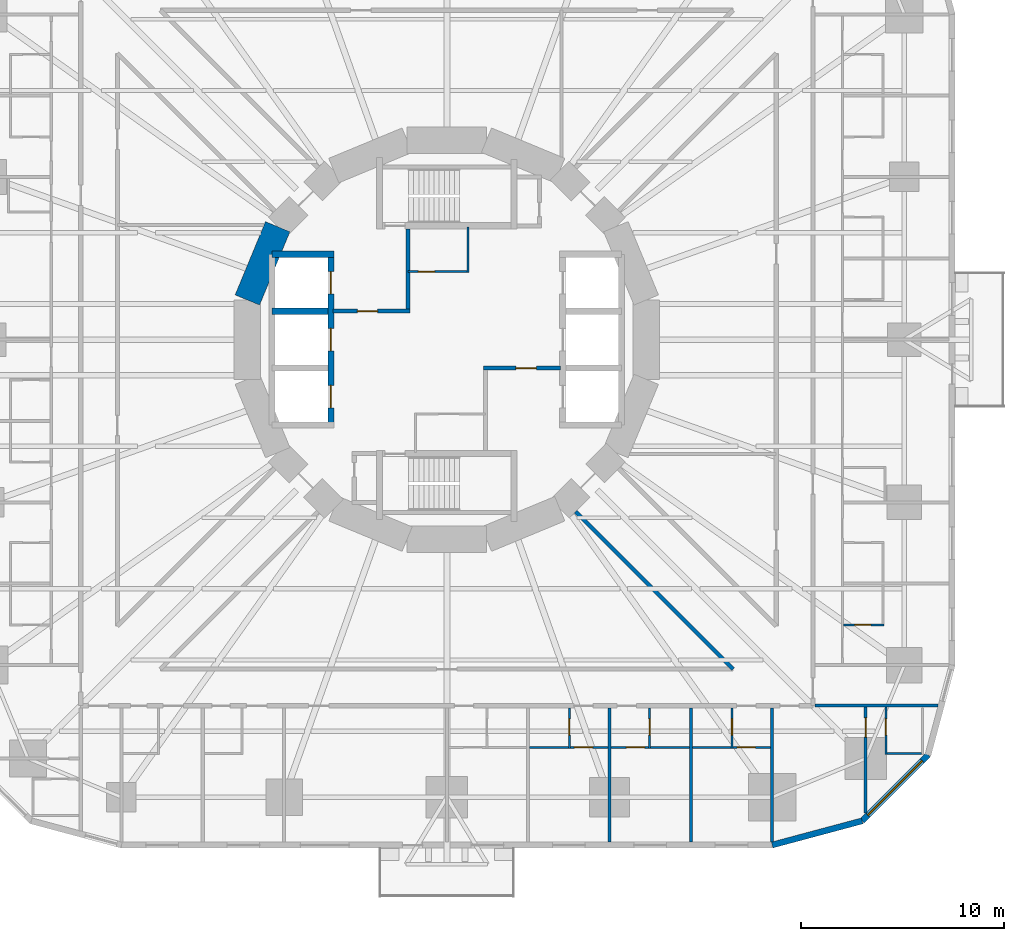
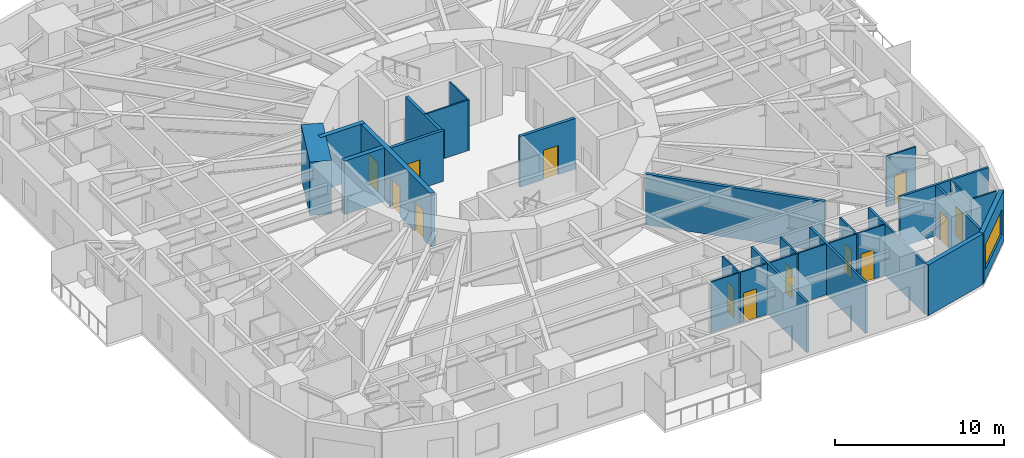
# One storey, part 7 of 14: 29 walls, 15 doors, 1 window, 16 openings.
"""IFC4 building model written with IfcOpenShell, lengths in metres."""

import ifcopenshell
import ifcopenshell.guid

model = None  # the IFC model being written
_history = None  # IfcOwnerHistory: only IFC2X3 demands one
_inside = {}  # id of a spatial element -> (the spatial element, [elements in it])
_under = {}  # id of a project, library or spatial element -> (it, [spatial elements below it])
_declared = {}  # id of a project -> (the project, [libraries it declares])
_typed = {}  # id of a type object -> (the type object, [elements of that type])
_made_of = {}  # id of a material, layer set ... -> (it, [elements and type objects made of it])


def new_model(schema):
    """Start an empty IFC model of exactly this schema.

    Asked for "IFC4X3", IfcOpenShell would pick the latest addendum, in which some entities
    have other attributes; the version numbers below select the first issue.
    IFC2X3 requires an IfcOwnerHistory on every rooted entity: one is made here for all.
    """
    global model, _history
    if schema == "IFC4X3":
        model = ifcopenshell.file(schema_version=(4, 3, 0, 0))
    else:
        model = ifcopenshell.file(schema=schema)
    _inside.clear()
    _under.clear()
    _declared.clear()
    _typed.clear()
    _made_of.clear()
    _history = None
    if model.schema == "IFC2X3":
        org = make("IfcOrganization", Name="unknown")
        user = make(
            "IfcPersonAndOrganization",
            ThePerson=make("IfcPerson", FamilyName="unknown"),
            TheOrganization=org,
        )
        app = make(
            "IfcApplication",
            ApplicationDeveloper=org,
            Version="unknown",
            ApplicationFullName="unknown",
            ApplicationIdentifier="unknown",
        )
        _history = make(
            "IfcOwnerHistory",
            OwningUser=user,
            OwningApplication=app,
            ChangeAction="ADDED",
            CreationDate=0,
        )
    return model


def make(cls, **values):
    """One entity of the class cls with the attributes given. An attribute that is None is left unset."""
    return model.create_entity(
        cls, **{name: value for name, value in values.items() if value is not None}
    )


def rooted(cls, **values):
    """An entity with a GlobalId (a new one), such as an element, a storey or a relation."""
    return make(cls, GlobalId=ifcopenshell.guid.new(), OwnerHistory=_history, **values)


def si_unit(unit_type, name, prefix=None):
    """IfcSIUnit, for example si_unit("LENGTHUNIT", "METRE", prefix="MILLI")."""
    return make("IfcSIUnit", UnitType=unit_type, Prefix=prefix, Name=name)


def assignment(units):
    """IfcUnitAssignment: the units of a project."""
    return None if units is None else make("IfcUnitAssignment", Units=units)


def point(xyz):
    """IfcCartesianPoint."""
    return None if xyz is None else make("IfcCartesianPoint", Coordinates=xyz)


def direction(xyz):
    """IfcDirection."""
    return None if xyz is None else make("IfcDirection", DirectionRatios=xyz)


def frame(location, z_axis=None, x_axis=None):
    """IfcAxis2Placement3D, a coordinate frame: its origin and axes. An axis left out is left unset."""
    return make(
        "IfcAxis2Placement3D",
        Location=point(location),
        Axis=direction(z_axis),
        RefDirection=direction(x_axis),
    )


def frame_2d(location, x_axis=None):
    """IfcAxis2Placement2D, a coordinate frame in the plane: its origin and x axis."""
    return make(
        "IfcAxis2Placement2D", Location=point(location), RefDirection=direction(x_axis)
    )


def origin():
    """The frame at (0, 0, 0) with its axes left unset."""
    return frame((0.0, 0.0, 0.0))


def place(relative_to, where):
    """IfcLocalPlacement: puts the frame where relative to a parent placement (None: the world)."""
    return make(
        "IfcLocalPlacement", PlacementRelTo=relative_to, RelativePlacement=where
    )


def context(
    kind, dimensions, precision=None, world=None, true_north=None, identifier=None
):
    """IfcGeometricRepresentationContext, for example the 3D "Model" context."""
    return make(
        "IfcGeometricRepresentationContext",
        ContextIdentifier=identifier,
        ContextType=kind,
        CoordinateSpaceDimension=dimensions,
        Precision=precision,
        WorldCoordinateSystem=world,
        TrueNorth=true_north,
    )


def subcontext(parent, identifier, kind, view, scale=None):
    """IfcGeometricRepresentationSubContext, for example "Body" below "Model"."""
    return make(
        "IfcGeometricRepresentationSubContext",
        ContextIdentifier=identifier,
        ContextType=kind,
        ParentContext=parent,
        TargetScale=scale,
        TargetView=view,
    )


def project(units=None, contexts=None):
    """IfcProject with its units and contexts."""
    return rooted(
        "IfcProject",
        Name="project",
        RepresentationContexts=contexts,
        UnitsInContext=assignment(units),
    )


def spatial(cls, under=None, at=None, **own):
    """A site, building, storey or space (cls), placed at a placement, below another one or the project."""
    s = rooted(cls, ObjectPlacement=at, **own)
    if under is not None:
        _under.setdefault(under.id(), (under, []))[1].append(s)
    return s


def profile(cls, at=None, kind="AREA", **sizes):
    """A parametric profile (cls). Its sizes go by their IFC names, for example OverallWidth=200.0."""
    return make(cls, ProfileType=kind, Position=at, **sizes)


def rectangle(**sizes):
    """IfcRectangleProfileDef."""
    return profile("IfcRectangleProfileDef", **sizes)


def extrude(swept, where, along, depth):
    """IfcExtrudedAreaSolid: the profile swept, set in the frame where, extruded along a direction by depth."""
    return make(
        "IfcExtrudedAreaSolid",
        SweptArea=swept,
        Position=where,
        ExtrudedDirection=direction(along),
        Depth=depth,
    )


def shape(context_of_items, identifier, shape_type, items):
    """IfcShapeRepresentation: the items that make up one representation, for example the "Body"."""
    return make(
        "IfcShapeRepresentation",
        ContextOfItems=context_of_items,
        RepresentationIdentifier=identifier,
        RepresentationType=shape_type,
        Items=items,
    )


def material(Name=None, Category=None):
    """IfcMaterial."""
    return make("IfcMaterial", Name=Name, Category=Category)


def layer(
    of_material, thickness, ventilated=None, Name=None, Category=None, Priority=None
):
    """IfcMaterialLayer: one layer of a wall or slab, of a material (None: an air gap)."""
    return make(
        "IfcMaterialLayer",
        Material=of_material,
        LayerThickness=thickness,
        IsVentilated=ventilated,
        Name=Name,
        Category=Category,
        Priority=Priority,
    )


def layer_set(layers, Name=None):
    """IfcMaterialLayerSet."""
    return make("IfcMaterialLayerSet", MaterialLayers=layers, LayerSetName=Name)


def made_of(thing, what):
    """Note that an element or type object is made of a material, layer set ...; save() writes the relation."""
    if what is not None:
        _made_of.setdefault(what.id(), (what, []))[1].append(thing)
    return thing


def type_object(cls, material=None, **own):
    """A type object (cls), such as IfcWallType, which elements share."""
    return made_of(rooted(cls, **own), material)


def element(
    cls,
    number,
    at=None,
    inside=None,
    cuts=None,
    type_object=None,
    material=None,
    context=None,
    identifier="Body",
    shape_type=None,
    held_by="IfcProductDefinitionShape",
    body=None,
    shapes=None,
    **own,
):
    """One element of the class cls, such as IfcWall. Its Tag is "e" and its number.

    at: its placement. inside: the storey or other place that contains it. cuts: it is an
    opening in that element (IfcRelVoidsElement). A single representation is given by context,
    identifier, shape_type and body (its items); several are given by shapes. held_by: the class
    of the entity that holds the representations. save() writes the other relations.
    """
    e = rooted(cls, Tag="e%d" % number, ObjectPlacement=at, **own)
    if body is not None:
        shapes = [shape(context, identifier, shape_type, body)]
    if shapes is not None:
        e.Representation = make(held_by, Representations=shapes)
    if inside is not None:
        _inside.setdefault(inside.id(), (inside, []))[1].append(e)
    if cuts is not None:
        rooted(
            "IfcRelVoidsElement", RelatingBuildingElement=cuts, RelatedOpeningElement=e
        )
    if type_object is not None:
        _typed.setdefault(type_object.id(), (type_object, []))[1].append(e)
    return made_of(e, material)


def fill(opening, filler):
    """IfcRelFillsElement: the door or window that sits in an opening."""
    return rooted(
        "IfcRelFillsElement",
        RelatingOpeningElement=opening,
        RelatedBuildingElement=filler,
    )


def aggregate(whole, parts):
    """IfcRelAggregates: a whole, such as a stair, and the parts it consists of."""
    return rooted("IfcRelAggregates", RelatingObject=whole, RelatedObjects=parts)


def save(model, path):
    """Write the relations noted so far, then the file.

    IfcRelAggregates (storeys below a building ...), IfcRelContainedInSpatialStructure (elements
    in a storey), IfcRelDefinesByType, IfcRelAssociatesMaterial and IfcRelDeclares: one each for
    every whole, place, type object, material and project.
    """
    for whole, parts in _under.values():
        aggregate(whole, parts)
    for where, things in _inside.values():
        rooted(
            "IfcRelContainedInSpatialStructure",
            RelatedElements=things,
            RelatingStructure=where,
        )
    for kind, things in _typed.values():
        rooted("IfcRelDefinesByType", RelatedObjects=things, RelatingType=kind)
    for what, things in _made_of.values():
        rooted("IfcRelAssociatesMaterial", RelatedObjects=things, RelatingMaterial=what)
    for by, libraries in _declared.values():
        rooted("IfcRelDeclares", RelatingContext=by, RelatedDefinitions=libraries)
    model.write(path)


model = new_model("IFC4")

# Units and contexts
model_context = context("Model", 3, precision=1e-05, world=origin(), true_north=direction((0.0, 1.0)))
body_context = subcontext(model_context, "Body", "Model", "MODEL_VIEW")
ifc_project = project(units=[si_unit("LENGTHUNIT", "METRE"), si_unit("AREAUNIT", "SQUARE_METRE"), si_unit("VOLUMEUNIT", "CUBIC_METRE"), si_unit("PLANEANGLEUNIT", "RADIAN"), si_unit("MASSUNIT", "GRAM", prefix="KILO")], contexts=[model_context])

# Site, building, storey
site_placement = place(None, origin())
site = spatial("IfcSite", under=ifc_project, at=site_placement, CompositionType="ELEMENT")
building_placement = place(site_placement, origin())
building = spatial("IfcBuilding", under=site, at=building_placement, Name="Nakasero Lantern House", CompositionType="ELEMENT")
storey_placement = place(building_placement, frame((0.0, 0.0, 39.10009765625)))
storey = spatial("IfcBuildingStorey", under=building, at=storey_placement, Name="L09", CompositionType="ELEMENT", Elevation=39.10009765625)

# Wall, openings, doors
ifc_material_1 = material(Name="Concrete C50/60", Category="concrete")
ifc_layer_1 = layer(ifc_material_1, 0.300048828125)
ifc_layer_set_1 = layer_set([ifc_layer_1], Name="Core inner wall 300")
wall_type_1 = type_object("IfcWallType", Name="Core inner wall 300", PredefinedType="SHEAR", material=ifc_layer_set_1)
wall_1_placement = place(storey_placement, frame((-5.699951171875, -4.199951171875, 0.0), z_axis=(0.0, 0.0, 1.0), x_axis=(0.0, 1.0, 0.0)))
wall_1 = element("IfcWall", 1, at=wall_1_placement, inside=storey, type_object=wall_type_1, Name="Core inner wall L09 LW", PredefinedType="SHEAR", context=body_context, shape_type="SweptSolid", body=[
    extrude(rectangle(XDim=8.39990234375, YDim=0.300048828125, at=frame_2d((4.199951171875, 0.0))), origin(), (0.0, 0.0, 1.0), 3.849853515625),
])
opening_1_placement = place(wall_1_placement, frame((0.85009765625, 0.0, 0.0)))
opening_1 = element("IfcOpeningElement", 2, at=opening_1_placement, cuts=wall_1, Name="Opening LD", PredefinedType="OPENING", context=body_context, shape_type="SweptSolid", body=[
    extrude(rectangle(XDim=1.10009765625, YDim=2.10009765625, at=frame_2d((0.550048828125, 1.050048828125))), frame((0.0, 0.169921875, 0.0), z_axis=(0.0, -1.0, 0.0), x_axis=(1.0, 0.0, 0.0)), (0.0, 0.0, 1.0), 0.340087890625),
])
opening_2_placement = place(wall_1_placement, frame((3.64990234375, 0.0, 0.0)))
opening_2 = element("IfcOpeningElement", 3, at=opening_2_placement, cuts=wall_1, Name="Opening LD", PredefinedType="OPENING", context=body_context, shape_type="SweptSolid", body=[
    extrude(rectangle(XDim=1.10009765625, YDim=2.10009765625, at=frame_2d((0.550048828125, 1.050048828125))), frame((0.0, 0.169921875, 0.0), z_axis=(0.0, -1.0, 0.0), x_axis=(1.0, 0.0, 0.0)), (0.0, 0.0, 1.0), 0.340087890625),
])
opening_3_placement = place(wall_1_placement, frame((6.449951171875, 0.0, 0.0)))
opening_3 = element("IfcOpeningElement", 4, at=opening_3_placement, cuts=wall_1, Name="Opening LD", PredefinedType="OPENING", context=body_context, shape_type="SweptSolid", body=[
    extrude(rectangle(XDim=1.10009765625, YDim=2.10009765625, at=frame_2d((0.550048828125, 1.050048828125))), frame((0.0, 0.169921875, 0.0), z_axis=(0.0, -1.0, 0.0), x_axis=(1.0, 0.0, 0.0)), (0.0, 0.0, 1.0), 0.340087890625),
])
ifc_material_2 = material(Name="Steel S355", Category="steel")
door_type_1 = type_object("IfcDoorType", Name="Lift landing door E120 1100", OperationType="SLIDING_TO_LEFT", PredefinedType="DOOR", material=ifc_material_2)
door_1_placement = place(opening_1_placement, origin())
door_1 = element("IfcDoor", 5, at=door_1_placement, inside=storey, type_object=door_type_1, Name="Lift landing door LW1", OperationType="SLIDING_TO_LEFT", OverallHeight=2.10009765625, OverallWidth=1.10009765625, PredefinedType="DOOR", context=body_context, shape_type="SweptSolid", body=[
    extrude(rectangle(XDim=1.10009765625, YDim=2.10009765625, at=frame_2d((0.550048828125, 1.050048828125))), frame((0.0, 0.02490234375, 0.0), z_axis=(0.0, -1.0, 0.0), x_axis=(1.0, 0.0, 0.0)), (0.0, 0.0, 1.0), 0.050048828125),
])
fill(opening_1, door_1)
door_2_placement = place(opening_2_placement, origin())
door_2 = element("IfcDoor", 6, at=door_2_placement, inside=storey, type_object=door_type_1, Name="Lift landing door LW2", OperationType="SLIDING_TO_LEFT", OverallHeight=2.10009765625, OverallWidth=1.10009765625, PredefinedType="DOOR", context=body_context, shape_type="SweptSolid", body=[
    extrude(rectangle(XDim=1.10009765625, YDim=2.10009765625, at=frame_2d((0.550048828125, 1.050048828125))), frame((0.0, 0.02490234375, 0.0), z_axis=(0.0, -1.0, 0.0), x_axis=(1.0, 0.0, 0.0)), (0.0, 0.0, 1.0), 0.050048828125),
])
fill(opening_2, door_2)
door_3_placement = place(opening_3_placement, origin())
door_3 = element("IfcDoor", 7, at=door_3_placement, inside=storey, type_object=door_type_1, Name="Lift landing door LW3", OperationType="SLIDING_TO_LEFT", OverallHeight=2.10009765625, OverallWidth=1.10009765625, PredefinedType="DOOR", context=body_context, shape_type="SweptSolid", body=[
    extrude(rectangle(XDim=1.10009765625, YDim=2.10009765625, at=frame_2d((0.550048828125, 1.050048828125))), frame((0.0, 0.02490234375, 0.0), z_axis=(0.0, -1.0, 0.0), x_axis=(1.0, 0.0, 0.0)), (0.0, 0.0, 1.0), 0.050048828125),
])
fill(opening_3, door_3)

# Walls
wall_2_placement = place(storey_placement, frame((-8.60009765625, 4.199951171875, 0.0), z_axis=(0.0, 0.0, 1.0), x_axis=(1.0, 0.0, 0.0)))
element("IfcWall", 8, at=wall_2_placement, inside=storey, type_object=wall_type_1, Name="Core inner wall L09 LWN", PredefinedType="SHEAR", context=body_context, shape_type="SweptSolid", body=[
    extrude(rectangle(XDim=3.050048828125, YDim=0.300048828125, at=frame_2d((1.52490234375, 0.0))), origin(), (0.0, 0.0, 1.0), 3.849853515625),
])
wall_3_placement = place(storey_placement, frame((-8.60009765625, 1.39990234375, 0.0), z_axis=(0.0, 0.0, 1.0), x_axis=(1.0, 0.0, 0.0)))
element("IfcWall", 9, at=wall_3_placement, inside=storey, type_object=wall_type_1, Name="Core inner wall L09 LW2", PredefinedType="SHEAR", context=body_context, shape_type="SweptSolid", body=[
    extrude(rectangle(XDim=2.75, YDim=0.300048828125, at=frame_2d((1.375, 0.0))), origin(), (0.0, 0.0, 1.0), 3.849853515625),
])

# Wall, opening, door
ifc_material_3 = material(Name="Blockwork", Category="masonry")
ifc_layer_2 = layer(ifc_material_3, 0.10009765625)
ifc_layer_set_2 = layer_set([ifc_layer_2], Name="Core room wall 100")
wall_type_2 = type_object("IfcWallType", Name="Core room wall 100", PredefinedType="PARTITIONING", material=ifc_layer_set_2)
wall_4_placement = place(storey_placement, frame((-1.89990234375, 3.35009765625, 0.0), z_axis=(0.0, 0.0, 1.0), x_axis=(1.0, 0.0, 0.0)))
wall_4 = element("IfcWall", 10, at=wall_4_placement, inside=storey, type_object=wall_type_2, Name="Core room wall L09 CR-NES", PredefinedType="PARTITIONING", context=body_context, shape_type="SweptSolid", body=[
    extrude(rectangle(XDim=3.0, YDim=0.10009765625, at=frame_2d((1.5, 0.0))), origin(), (0.0, 0.0, 1.0), 3.64990234375),
])
opening_4_placement = place(wall_4_placement, frame((0.5, 0.0, 0.0)))
opening_4 = element("IfcOpeningElement", 11, at=opening_4_placement, cuts=wall_4, Name="Opening D15", PredefinedType="OPENING", context=body_context, shape_type="SweptSolid", body=[
    extrude(rectangle(XDim=0.800048828125, YDim=2.10009765625, at=frame_2d((0.39990234375, 1.050048828125))), frame((0.0, 0.070068359375, 0.0), z_axis=(0.0, -1.0, 0.0), x_axis=(1.0, 0.0, 0.0)), (0.0, 0.0, 1.0), 0.14013671875),
])
ifc_material_4 = material(Name="Timber C24", Category="wood")
door_type_2 = type_object("IfcDoorType", Name="Cleaner's store door FD30S 800", OperationType="SINGLE_SWING_LEFT", PredefinedType="DOOR", material=ifc_material_4)
door_4_placement = place(opening_4_placement, origin())
door_4 = element("IfcDoor", 12, at=door_4_placement, inside=storey, type_object=door_type_2, Name="Door L09 D-CR-NE", OperationType="SINGLE_SWING_LEFT", OverallHeight=2.10009765625, OverallWidth=0.800048828125, PredefinedType="DOOR", context=body_context, shape_type="SweptSolid", body=[
    extrude(rectangle(XDim=0.800048828125, YDim=2.10009765625, at=frame_2d((0.39990234375, 1.050048828125))), frame((0.0, 0.02490234375, 0.0), z_axis=(0.0, -1.0, 0.0), x_axis=(1.0, 0.0, 0.0)), (0.0, 0.0, 1.0), 0.050048828125),
])
fill(opening_4, door_4)

# Walls
wall_5_placement = place(storey_placement, frame((1.050048828125, 3.300048828125, 0.0), z_axis=(0.0, 0.0, 1.0), x_axis=(0.0, 1.0, 0.0)))
element("IfcWall", 13, at=wall_5_placement, inside=storey, type_object=wall_type_2, Name="Core room wall L09 CR-NEE", PredefinedType="PARTITIONING", context=body_context, shape_type="SweptSolid", body=[
    extrude(rectangle(XDim=2.25, YDim=0.10009765625, at=frame_2d((1.125, 0.0))), origin(), (0.0, 0.0, 1.0), 3.64990234375),
])
ifc_material_5 = material(Name="Concrete C50/60", Category="concrete")
ifc_layer_3 = layer(ifc_material_5, 1.300048828125)
ifc_layer_set_3 = layer_set([ifc_layer_3], Name="Core wall 1300")
wall_type_3 = type_object("IfcWallType", Name="Core wall 1300", PredefinedType="SHEAR", material=ifc_layer_set_3)
wall_6_placement = place(storey_placement, frame((-8.314697265625, 5.5556640625, 0.0), z_axis=(0.0, 0.0, 1.0), x_axis=(-0.382690736062, -0.923876507187, 0.0)))
element("IfcWall", 14, at=wall_6_placement, inside=storey, type_object=wall_type_3, Name="Core wall L09 facet 7", PredefinedType="SHEAR", context=body_context, shape_type="SweptSolid", body=[
    extrude(rectangle(XDim=3.90185546875, YDim=1.300048828125, at=frame_2d((1.950927734375, 0.0))), origin(), (0.0, 0.0, 1.0), 3.849853515625),
])
ifc_material_6 = material(Name="Blockwork", Category="masonry")
ifc_layer_4 = layer(ifc_material_6, 0.199951171875)
ifc_layer_set_4 = layer_set([ifc_layer_4], Name="Corridor wall 200")
wall_type_4 = type_object("IfcWallType", Name="Corridor wall 200", PredefinedType="PARTITIONING", material=ifc_layer_set_4)
wall_7_placement = place(storey_placement, frame((6.334228515625, -8.45556640625, 0.0), z_axis=(0.0, 0.0, 1.0), x_axis=(0.707106781187, -0.707106781187, 0.0)))
element("IfcWall", 15, at=wall_7_placement, inside=storey, type_object=wall_type_4, Name="Corridor wall L09 PS14b", PredefinedType="PARTITIONING", context=body_context, shape_type="SweptSolid", body=[
    extrude(rectangle(XDim=10.9521484375, YDim=0.199951171875, at=frame_2d((5.47607421875, 0.0))), origin(), (0.0, 0.0, 1.0), 3.64990234375),
])

# Wall, opening, door
ifc_material_7 = material(Name="Blockwork", Category="masonry")
ifc_layer_5 = layer(ifc_material_7, 0.10009765625)
ifc_layer_set_5 = layer_set([ifc_layer_5], Name="En-suite wall 100")
wall_type_5 = type_object("IfcWallType", Name="En-suite wall 100", PredefinedType="PARTITIONING", material=ifc_layer_set_5)
wall_8_placement = place(storey_placement, frame((19.5, -14.02490234375, 0.0), z_axis=(0.0, 0.0, 1.0), x_axis=(1.0, 0.0, 0.0)))
wall_8 = element("IfcWall", 16, at=wall_8_placement, inside=storey, type_object=wall_type_5, Name="En-suite wall L09 ES0-01", PredefinedType="PARTITIONING", context=body_context, shape_type="SweptSolid", body=[
    extrude(rectangle(XDim=2.0, YDim=0.10009765625, at=frame_2d((1.0, 0.0))), origin(), (0.0, 0.0, 1.0), 3.64990234375),
])
opening_5_placement = place(wall_8_placement, frame((0.550048828125, 0.0, 0.0)))
opening_5 = element("IfcOpeningElement", 17, at=opening_5_placement, cuts=wall_8, Name="Opening D02", PredefinedType="OPENING", context=body_context, shape_type="SweptSolid", body=[
    extrude(rectangle(XDim=0.800048828125, YDim=2.10009765625, at=frame_2d((0.39990234375, 1.050048828125))), frame((0.0, 0.070068359375, 0.0), z_axis=(0.0, -1.0, 0.0), x_axis=(1.0, 0.0, 0.0)), (0.0, 0.0, 1.0), 0.14013671875),
])
ifc_material_8 = material(Name="Timber C24", Category="wood")
door_type_3 = type_object("IfcDoorType", Name="En-suite door 800", OperationType="SINGLE_SWING_RIGHT", PredefinedType="DOOR", material=ifc_material_8)
door_5_placement = place(opening_5_placement, origin())
door_5 = element("IfcDoor", 18, at=door_5_placement, inside=storey, type_object=door_type_3, Name="Door L09 DE0-01", OperationType="SINGLE_SWING_LEFT", OverallHeight=2.10009765625, OverallWidth=0.800048828125, PredefinedType="DOOR", context=body_context, shape_type="SweptSolid", body=[
    extrude(rectangle(XDim=0.800048828125, YDim=2.10009765625, at=frame_2d((0.39990234375, 1.050048828125))), frame((0.0, 0.02490234375, 0.0), z_axis=(0.0, -1.0, 0.0), x_axis=(1.0, 0.0, 0.0)), (0.0, 0.0, 1.0), 0.050048828125),
])
fill(opening_5, door_5)

wall_9_placement = place(storey_placement, frame((6.02490234375, -18.10009765625, 0.0), z_axis=(0.0, 0.0, 1.0), x_axis=(0.0, -1.0, 0.0)))
wall_9 = element("IfcWall", 19, at=wall_9_placement, inside=storey, type_object=wall_type_5, Name="En-suite wall L09 ES3-06", PredefinedType="PARTITIONING", context=body_context, shape_type="SweptSolid", body=[
    extrude(rectangle(XDim=2.0, YDim=0.10009765625, at=frame_2d((1.0, 0.0))), origin(), (0.0, 0.0, 1.0), 3.64990234375),
])
opening_6_placement = place(wall_9_placement, frame((0.550048828125, 0.0, 0.0)))
opening_6 = element("IfcOpeningElement", 20, at=opening_6_placement, cuts=wall_9, Name="Opening D02", PredefinedType="OPENING", context=body_context, shape_type="SweptSolid", body=[
    extrude(rectangle(XDim=0.800048828125, YDim=2.10009765625, at=frame_2d((0.39990234375, 1.050048828125))), frame((0.0, 0.070068359375, 0.0), z_axis=(0.0, -1.0, 0.0), x_axis=(1.0, 0.0, 0.0)), (0.0, 0.0, 1.0), 0.14013671875),
])
door_6_placement = place(opening_6_placement, origin())
door_6 = element("IfcDoor", 21, at=door_6_placement, inside=storey, type_object=door_type_3, Name="Door L09 DE3-06", OperationType="SINGLE_SWING_LEFT", OverallHeight=2.10009765625, OverallWidth=0.800048828125, PredefinedType="DOOR", context=body_context, shape_type="SweptSolid", body=[
    extrude(rectangle(XDim=0.800048828125, YDim=2.10009765625, at=frame_2d((0.39990234375, 1.050048828125))), frame((0.0, 0.02490234375, 0.0), z_axis=(0.0, -1.0, 0.0), x_axis=(1.0, 0.0, 0.0)), (0.0, 0.0, 1.0), 0.050048828125),
])
fill(opening_6, door_6)

# Wall
wall_10_placement = place(storey_placement, frame((4.074951171875, -20.050048828125, 0.0), z_axis=(0.0, 0.0, 1.0), x_axis=(1.0, 0.0, 0.0)))
element("IfcWall", 22, at=wall_10_placement, inside=storey, type_object=wall_type_5, Name="En-suite wall L09 EE3-06", PredefinedType="PARTITIONING", context=body_context, shape_type="SweptSolid", body=[
    extrude(rectangle(XDim=1.900146484375, YDim=0.10009765625, at=frame_2d((0.9501953125, 0.0))), origin(), (0.0, 0.0, 1.0), 3.64990234375),
])

# Wall, opening, door
wall_11_placement = place(storey_placement, frame((9.97509765625, -18.10009765625, 0.0), z_axis=(0.0, 0.0, 1.0), x_axis=(0.0, -1.0, 0.0)))
wall_11 = element("IfcWall", 23, at=wall_11_placement, inside=storey, type_object=wall_type_5, Name="En-suite wall L09 ES3-07", PredefinedType="PARTITIONING", context=body_context, shape_type="SweptSolid", body=[
    extrude(rectangle(XDim=2.0, YDim=0.10009765625, at=frame_2d((1.0, 0.0))), origin(), (0.0, 0.0, 1.0), 3.64990234375),
])
opening_7_placement = place(wall_11_placement, frame((0.550048828125, 0.0, 0.0)))
opening_7 = element("IfcOpeningElement", 24, at=opening_7_placement, cuts=wall_11, Name="Opening D02", PredefinedType="OPENING", context=body_context, shape_type="SweptSolid", body=[
    extrude(rectangle(XDim=0.800048828125, YDim=2.10009765625, at=frame_2d((0.39990234375, 1.050048828125))), frame((0.0, 0.070068359375, 0.0), z_axis=(0.0, -1.0, 0.0), x_axis=(1.0, 0.0, 0.0)), (0.0, 0.0, 1.0), 0.14013671875),
])
door_7_placement = place(opening_7_placement, origin())
door_7 = element("IfcDoor", 25, at=door_7_placement, inside=storey, type_object=door_type_3, Name="Door L09 DE3-07", OperationType="SINGLE_SWING_LEFT", OverallHeight=2.10009765625, OverallWidth=0.800048828125, PredefinedType="DOOR", context=body_context, shape_type="SweptSolid", body=[
    extrude(rectangle(XDim=0.800048828125, YDim=2.10009765625, at=frame_2d((0.39990234375, 1.050048828125))), frame((0.0, 0.02490234375, 0.0), z_axis=(0.0, -1.0, 0.0), x_axis=(1.0, 0.0, 0.0)), (0.0, 0.0, 1.0), 0.050048828125),
])
fill(opening_7, door_7)

# Wall
wall_12_placement = place(storey_placement, frame((10.02490234375, -20.050048828125, 0.0), z_axis=(0.0, 0.0, 1.0), x_axis=(1.0, 0.0, 0.0)))
element("IfcWall", 26, at=wall_12_placement, inside=storey, type_object=wall_type_5, Name="En-suite wall L09 EE3-07", PredefinedType="PARTITIONING", context=body_context, shape_type="SweptSolid", body=[
    extrude(rectangle(XDim=1.900146484375, YDim=0.10009765625, at=frame_2d((0.9501953125, 0.0))), origin(), (0.0, 0.0, 1.0), 3.64990234375),
])

# Wall, opening, door
wall_13_placement = place(storey_placement, frame((14.02490234375, -18.10009765625, 0.0), z_axis=(0.0, 0.0, 1.0), x_axis=(0.0, -1.0, 0.0)))
wall_13 = element("IfcWall", 27, at=wall_13_placement, inside=storey, type_object=wall_type_5, Name="En-suite wall L09 ES3-08", PredefinedType="PARTITIONING", context=body_context, shape_type="SweptSolid", body=[
    extrude(rectangle(XDim=2.0, YDim=0.10009765625, at=frame_2d((1.0, 0.0))), origin(), (0.0, 0.0, 1.0), 3.64990234375),
])
opening_8_placement = place(wall_13_placement, frame((0.550048828125, 0.0, 0.0)))
opening_8 = element("IfcOpeningElement", 28, at=opening_8_placement, cuts=wall_13, Name="Opening D02", PredefinedType="OPENING", context=body_context, shape_type="SweptSolid", body=[
    extrude(rectangle(XDim=0.800048828125, YDim=2.10009765625, at=frame_2d((0.39990234375, 1.050048828125))), frame((0.0, 0.070068359375, 0.0), z_axis=(0.0, -1.0, 0.0), x_axis=(1.0, 0.0, 0.0)), (0.0, 0.0, 1.0), 0.14013671875),
])
door_8_placement = place(opening_8_placement, origin())
door_8 = element("IfcDoor", 29, at=door_8_placement, inside=storey, type_object=door_type_3, Name="Door L09 DE3-08", OperationType="SINGLE_SWING_LEFT", OverallHeight=2.10009765625, OverallWidth=0.800048828125, PredefinedType="DOOR", context=body_context, shape_type="SweptSolid", body=[
    extrude(rectangle(XDim=0.800048828125, YDim=2.10009765625, at=frame_2d((0.39990234375, 1.050048828125))), frame((0.0, 0.02490234375, 0.0), z_axis=(0.0, -1.0, 0.0), x_axis=(1.0, 0.0, 0.0)), (0.0, 0.0, 1.0), 0.050048828125),
])
fill(opening_8, door_8)

# Wall
wall_14_placement = place(storey_placement, frame((12.074951171875, -20.050048828125, 0.0), z_axis=(0.0, 0.0, 1.0), x_axis=(1.0, 0.0, 0.0)))
element("IfcWall", 30, at=wall_14_placement, inside=storey, type_object=wall_type_5, Name="En-suite wall L09 EE3-08", PredefinedType="PARTITIONING", context=body_context, shape_type="SweptSolid", body=[
    extrude(rectangle(XDim=1.900146484375, YDim=0.10009765625, at=frame_2d((0.9501953125, 0.0))), origin(), (0.0, 0.0, 1.0), 3.64990234375),
])

# Wall, opening, door
wall_15_placement = place(storey_placement, frame((21.59619140625, -18.06494140625, 0.0), z_axis=(0.0, 0.0, 1.0), x_axis=(0.0, -1.0, 0.0)))
wall_15 = element("IfcWall", 31, at=wall_15_placement, inside=storey, type_object=wall_type_5, Name="En-suite wall L09 ES3-09", PredefinedType="PARTITIONING", context=body_context, shape_type="SweptSolid", body=[
    extrude(rectangle(XDim=2.3349609375, YDim=0.10009765625, at=frame_2d((1.16748046875, 0.0))), origin(), (0.0, 0.0, 1.0), 3.64990234375),
])
opening_9_placement = place(wall_15_placement, frame((0.5849609375, 0.0, 0.0)))
opening_9 = element("IfcOpeningElement", 32, at=opening_9_placement, cuts=wall_15, Name="Opening D02", PredefinedType="OPENING", context=body_context, shape_type="SweptSolid", body=[
    extrude(rectangle(XDim=0.800048828125, YDim=2.10009765625, at=frame_2d((0.39990234375, 1.050048828125))), frame((0.0, 0.070068359375, 0.0), z_axis=(0.0, -1.0, 0.0), x_axis=(1.0, 0.0, 0.0)), (0.0, 0.0, 1.0), 0.14013671875),
])
door_9_placement = place(opening_9_placement, origin())
door_9 = element("IfcDoor", 33, at=door_9_placement, inside=storey, type_object=door_type_3, Name="Door L09 DE3-09", OperationType="SINGLE_SWING_LEFT", OverallHeight=2.10009765625, OverallWidth=0.800048828125, PredefinedType="DOOR", context=body_context, shape_type="SweptSolid", body=[
    extrude(rectangle(XDim=0.800048828125, YDim=2.10009765625, at=frame_2d((0.39990234375, 1.050048828125))), frame((0.0, 0.02490234375, 0.0), z_axis=(0.0, -1.0, 0.0), x_axis=(1.0, 0.0, 0.0)), (0.0, 0.0, 1.0), 0.050048828125),
])
fill(opening_9, door_9)

# Wall
wall_16_placement = place(storey_placement, frame((21.646240234375, -20.35009765625, 0.0), z_axis=(0.0, 0.0, 1.0), x_axis=(1.0, 0.0, 0.0)))
element("IfcWall", 34, at=wall_16_placement, inside=storey, type_object=wall_type_5, Name="En-suite wall L09 EE3-09", PredefinedType="PARTITIONING", context=body_context, shape_type="SweptSolid", body=[
    extrude(rectangle(XDim=1.699951171875, YDim=0.10009765625, at=frame_2d((0.85009765625, 0.0))), origin(), (0.0, 0.0, 1.0), 3.64990234375),
])

# Wall, opening, door
wall_17_placement = place(storey_placement, frame((6.074951171875, -20.050048828125, 0.0), z_axis=(0.0, 0.0, 1.0), x_axis=(1.0, 0.0, 0.0)))
wall_17 = element("IfcWall", 35, at=wall_17_placement, inside=storey, type_object=wall_type_5, Name="En-suite wall L09 EL3-06", PredefinedType="PARTITIONING", context=body_context, shape_type="SweptSolid", body=[
    extrude(rectangle(XDim=1.85009765625, YDim=0.10009765625, at=frame_2d((0.925048828125, 0.0))), origin(), (0.0, 0.0, 1.0), 3.64990234375),
])
opening_10_placement = place(wall_17_placement, frame((0.199951171875, 0.0, 0.0)))
opening_10 = element("IfcOpeningElement", 36, at=opening_10_placement, cuts=wall_17, Name="Opening D17", PredefinedType="OPENING", context=body_context, shape_type="SweptSolid", body=[
    extrude(rectangle(XDim=0.89990234375, YDim=2.10009765625, at=frame_2d((0.449951171875, 1.050048828125))), frame((0.0, 0.070068359375, 0.0), z_axis=(0.0, -1.0, 0.0), x_axis=(1.0, 0.0, 0.0)), (0.0, 0.0, 1.0), 0.14013671875),
])
ifc_material_9 = material(Name="Timber C24", Category="wood")
door_type_4 = type_object("IfcDoorType", Name="Bedroom door FD30S 900", OperationType="SINGLE_SWING_LEFT", PredefinedType="DOOR", material=ifc_material_9)
door_10_placement = place(opening_10_placement, origin())
door_10 = element("IfcDoor", 37, at=door_10_placement, inside=storey, type_object=door_type_4, Name="Door L09 DL3-06", OperationType="SINGLE_SWING_LEFT", OverallHeight=2.10009765625, OverallWidth=0.89990234375, PredefinedType="DOOR", context=body_context, shape_type="SweptSolid", body=[
    extrude(rectangle(XDim=0.89990234375, YDim=2.10009765625, at=frame_2d((0.449951171875, 1.050048828125))), frame((0.0, 0.02490234375, 0.0), z_axis=(0.0, -1.0, 0.0), x_axis=(1.0, 0.0, 0.0)), (0.0, 0.0, 1.0), 0.050048828125),
])
fill(opening_10, door_10)

wall_18_placement = place(storey_placement, frame((8.074951171875, -20.050048828125, 0.0), z_axis=(0.0, 0.0, 1.0), x_axis=(1.0, 0.0, 0.0)))
wall_18 = element("IfcWall", 38, at=wall_18_placement, inside=storey, type_object=wall_type_5, Name="En-suite wall L09 EL3-07", PredefinedType="PARTITIONING", context=body_context, shape_type="SweptSolid", body=[
    extrude(rectangle(XDim=1.85009765625, YDim=0.10009765625, at=frame_2d((0.925048828125, 0.0))), origin(), (0.0, 0.0, 1.0), 3.64990234375),
])
opening_11_placement = place(wall_18_placement, frame((0.75, 0.0, 0.0)))
opening_11 = element("IfcOpeningElement", 39, at=opening_11_placement, cuts=wall_18, Name="Opening D17", PredefinedType="OPENING", context=body_context, shape_type="SweptSolid", body=[
    extrude(rectangle(XDim=0.89990234375, YDim=2.10009765625, at=frame_2d((0.449951171875, 1.050048828125))), frame((0.0, 0.070068359375, 0.0), z_axis=(0.0, -1.0, 0.0), x_axis=(1.0, 0.0, 0.0)), (0.0, 0.0, 1.0), 0.14013671875),
])
door_11_placement = place(opening_11_placement, origin())
door_11 = element("IfcDoor", 40, at=door_11_placement, inside=storey, type_object=door_type_4, Name="Door L09 DL3-07", OperationType="SINGLE_SWING_RIGHT", OverallHeight=2.10009765625, OverallWidth=0.89990234375, PredefinedType="DOOR", context=body_context, shape_type="SweptSolid", body=[
    extrude(rectangle(XDim=0.89990234375, YDim=2.10009765625, at=frame_2d((0.449951171875, 1.050048828125))), frame((0.0, 0.02490234375, 0.0), z_axis=(0.0, -1.0, 0.0), x_axis=(1.0, 0.0, 0.0)), (0.0, 0.0, 1.0), 0.050048828125),
])
fill(opening_11, door_11)

wall_19_placement = place(storey_placement, frame((14.074951171875, -20.050048828125, 0.0), z_axis=(0.0, 0.0, 1.0), x_axis=(1.0, 0.0, 0.0)))
wall_19 = element("IfcWall", 41, at=wall_19_placement, inside=storey, type_object=wall_type_5, Name="En-suite wall L09 EL3-08", PredefinedType="PARTITIONING", context=body_context, shape_type="SweptSolid", body=[
    extrude(rectangle(XDim=1.85009765625, YDim=0.10009765625, at=frame_2d((0.925048828125, 0.0))), origin(), (0.0, 0.0, 1.0), 3.64990234375),
])
opening_12_placement = place(wall_19_placement, frame((0.199951171875, 0.0, 0.0)))
opening_12 = element("IfcOpeningElement", 42, at=opening_12_placement, cuts=wall_19, Name="Opening D17", PredefinedType="OPENING", context=body_context, shape_type="SweptSolid", body=[
    extrude(rectangle(XDim=0.89990234375, YDim=2.10009765625, at=frame_2d((0.449951171875, 1.050048828125))), frame((0.0, 0.070068359375, 0.0), z_axis=(0.0, -1.0, 0.0), x_axis=(1.0, 0.0, 0.0)), (0.0, 0.0, 1.0), 0.14013671875),
])
door_12_placement = place(opening_12_placement, origin())
door_12 = element("IfcDoor", 43, at=door_12_placement, inside=storey, type_object=door_type_4, Name="Door L09 DL3-08", OperationType="SINGLE_SWING_LEFT", OverallHeight=2.10009765625, OverallWidth=0.89990234375, PredefinedType="DOOR", context=body_context, shape_type="SweptSolid", body=[
    extrude(rectangle(XDim=0.89990234375, YDim=2.10009765625, at=frame_2d((0.449951171875, 1.050048828125))), frame((0.0, 0.02490234375, 0.0), z_axis=(0.0, -1.0, 0.0), x_axis=(1.0, 0.0, 0.0)), (0.0, 0.0, 1.0), 0.050048828125),
])
fill(opening_12, door_12)

# Wall
ifc_material_10 = material(Name="Aluminium rainscreen on blockwork", Category="masonry")
ifc_layer_6 = layer(ifc_material_10, 0.300048828125)
ifc_layer_set_6 = layer_set([ifc_layer_6], Name="Facade wall 300")
wall_type_6 = type_object("IfcWallType", Name="Facade wall 300", PredefinedType="SOLIDWALL", material=ifc_layer_set_6)
wall_20_placement = place(storey_placement, frame((16.0, -24.85009765625, 0.0), z_axis=(0.0, 0.0, 1.0), x_axis=(0.965920218567, 0.258839972501, 0.0)))
element("IfcWall", 44, at=wall_20_placement, inside=storey, type_object=wall_type_6, Name="Facade wall L09 FW3C1", PredefinedType="SOLIDWALL", context=body_context, shape_type="SweptSolid", body=[
    extrude(rectangle(XDim=4.5810546875, YDim=0.300048828125, at=frame_2d((2.29052734375, 0.0))), origin(), (0.0, 0.0, 1.0), 3.64990234375),
])

# Wall, opening, window
wall_21_placement = place(storey_placement, frame((20.425048828125, -23.664306640625, 0.0), z_axis=(0.0, 0.0, 1.0), x_axis=(0.707106781187, 0.707106781187, 0.0)))
wall_21 = element("IfcWall", 45, at=wall_21_placement, inside=storey, type_object=wall_type_6, Name="Facade wall L09 FW3C2", PredefinedType="SOLIDWALL", context=body_context, shape_type="SweptSolid", body=[
    extrude(rectangle(XDim=4.5810546875, YDim=0.300048828125, at=frame_2d((2.29052734375, 0.0))), origin(), (0.0, 0.0, 1.0), 3.64990234375),
])
opening_13_placement = place(wall_21_placement, frame((0.39990234375, 0.0, 0.75)))
opening_13 = element("IfcOpeningElement", 46, at=opening_13_placement, cuts=wall_21, Name="Opening W237", PredefinedType="OPENING", context=body_context, shape_type="SweptSolid", body=[
    extrude(rectangle(XDim=3.781005859375, YDim=1.800048828125, at=frame_2d((1.890625, 0.89990234375))), frame((0.0, 0.169921875, 0.0), z_axis=(0.0, -1.0, 0.0), x_axis=(1.0, 0.0, 0.0)), (0.0, 0.0, 1.0), 0.340087890625),
])
ifc_material_11 = material(Name="Aluminium 6063-T6 and glass", Category="aluminium")
window_type = type_object("IfcWindowType", Name="Corner window 3781x1800", PartitioningType="SINGLE_PANEL", PredefinedType="WINDOW", material=ifc_material_11)
window_placement = place(opening_13_placement, origin())
window = element("IfcWindow", 47, at=window_placement, inside=storey, type_object=window_type, Name="Window L09 WC3", OverallHeight=1.800048828125, OverallWidth=3.781005859375, PartitioningType="SINGLE_PANEL", PredefinedType="WINDOW", context=body_context, shape_type="SweptSolid", body=[
    extrude(rectangle(XDim=3.781005859375, YDim=1.800048828125, at=frame_2d((1.890625, 0.89990234375))), frame((0.0, 0.030029296875, 0.0), z_axis=(0.0, -1.0, 0.0), x_axis=(1.0, 0.0, 0.0)), (0.0, 0.0, 1.0), 0.06005859375),
])
fill(opening_13, window)

# Wall, opening, door
ifc_material_12 = material(Name="Blockwork", Category="masonry")
ifc_layer_7 = layer(ifc_material_12, 0.199951171875)
ifc_layer_set_7 = layer_set([ifc_layer_7], Name="Fire lobby wall 200")
wall_type_7 = type_object("IfcWallType", Name="Fire lobby wall 200", PredefinedType="PARTITIONING", material=ifc_layer_set_7)
wall_22_placement = place(storey_placement, frame((-5.60009765625, 1.39990234375, 0.0), z_axis=(0.0, 0.0, 1.0), x_axis=(1.0, 0.0, 0.0)))
wall_22 = element("IfcWall", 48, at=wall_22_placement, inside=storey, type_object=wall_type_7, Name="Fire lobby wall L09 W-FL1S", PredefinedType="PARTITIONING", context=body_context, shape_type="SweptSolid", body=[
    extrude(rectangle(XDim=3.800048828125, YDim=0.199951171875, at=frame_2d((1.89990234375, 0.0))), origin(), (0.0, 0.0, 1.0), 3.64990234375),
])
opening_14_placement = place(wall_22_placement, frame((1.199951171875, 0.0, 0.0)))
opening_14 = element("IfcOpeningElement", 49, at=opening_14_placement, cuts=wall_22, Name="Opening D05", PredefinedType="OPENING", context=body_context, shape_type="SweptSolid", body=[
    extrude(rectangle(XDim=1.0, YDim=2.10009765625, at=frame_2d((0.5, 1.050048828125))), frame((0.0, 0.119873046875, 0.0), z_axis=(0.0, -1.0, 0.0), x_axis=(1.0, 0.0, 0.0)), (0.0, 0.0, 1.0), 0.239990234375),
])
ifc_material_13 = material(Name="Timber C24", Category="wood")
door_type_5 = type_object("IfcDoorType", Name="Core door FD60S 1000", OperationType="SINGLE_SWING_LEFT", PredefinedType="DOOR", material=ifc_material_13)
door_13_placement = place(opening_14_placement, origin())
door_13 = element("IfcDoor", 50, at=door_13_placement, inside=storey, type_object=door_type_5, Name="Door L09 D-FL1", OperationType="SINGLE_SWING_LEFT", OverallHeight=2.10009765625, OverallWidth=1.0, PredefinedType="DOOR", context=body_context, shape_type="SweptSolid", body=[
    extrude(rectangle(XDim=1.0, YDim=2.10009765625, at=frame_2d((0.5, 1.050048828125))), frame((0.0, 0.02490234375, 0.0), z_axis=(0.0, -1.0, 0.0), x_axis=(1.0, 0.0, 0.0)), (0.0, 0.0, 1.0), 0.050048828125),
])
fill(opening_14, door_13)

# Wall
wall_23_placement = place(storey_placement, frame((-1.89990234375, 1.5, 0.0), z_axis=(0.0, 0.0, 1.0), x_axis=(0.0, 1.0, 0.0)))
element("IfcWall", 51, at=wall_23_placement, inside=storey, type_object=wall_type_7, Name="Fire lobby wall L09 W-FL1E", PredefinedType="PARTITIONING", context=body_context, shape_type="SweptSolid", body=[
    extrude(rectangle(XDim=3.949951171875, YDim=0.199951171875, at=frame_2d((1.97509765625, 0.0))), origin(), (0.0, 0.0, 1.0), 3.64990234375),
])

# Wall, opening, door
wall_24_placement = place(storey_placement, frame((5.60009765625, -1.39990234375, 0.0), z_axis=(0.0, 0.0, 1.0), x_axis=(-1.0, 0.0, 0.0)))
wall_24 = element("IfcWall", 52, at=wall_24_placement, inside=storey, type_object=wall_type_7, Name="Fire lobby wall L09 W-FL2N", PredefinedType="PARTITIONING", context=body_context, shape_type="SweptSolid", body=[
    extrude(rectangle(XDim=3.800048828125, YDim=0.199951171875, at=frame_2d((1.89990234375, 0.0))), origin(), (0.0, 0.0, 1.0), 3.64990234375),
])
opening_15_placement = place(wall_24_placement, frame((1.199951171875, 0.0, 0.0)))
opening_15 = element("IfcOpeningElement", 53, at=opening_15_placement, cuts=wall_24, Name="Opening D05", PredefinedType="OPENING", context=body_context, shape_type="SweptSolid", body=[
    extrude(rectangle(XDim=1.0, YDim=2.10009765625, at=frame_2d((0.5, 1.050048828125))), frame((0.0, 0.119873046875, 0.0), z_axis=(0.0, -1.0, 0.0), x_axis=(1.0, 0.0, 0.0)), (0.0, 0.0, 1.0), 0.239990234375),
])
door_14_placement = place(opening_15_placement, origin())
door_14 = element("IfcDoor", 54, at=door_14_placement, inside=storey, type_object=door_type_5, Name="Door L09 D-FL2", OperationType="SINGLE_SWING_LEFT", OverallHeight=2.10009765625, OverallWidth=1.0, PredefinedType="DOOR", context=body_context, shape_type="SweptSolid", body=[
    extrude(rectangle(XDim=1.0, YDim=2.10009765625, at=frame_2d((0.5, 1.050048828125))), frame((0.0, 0.02490234375, 0.0), z_axis=(0.0, -1.0, 0.0), x_axis=(1.0, 0.0, 0.0)), (0.0, 0.0, 1.0), 0.050048828125),
])
fill(opening_15, door_14)

# Walls
ifc_material_14 = material(Name="Blockwork", Category="masonry")
ifc_layer_8 = layer(ifc_material_14, 0.14990234375)
ifc_layer_set_8 = layer_set([ifc_layer_8], Name="Party wall 150")
wall_type_8 = type_object("IfcWallType", Name="Party wall 150", PredefinedType="PARTITIONING", material=ifc_layer_set_8)
wall_25_placement = place(storey_placement, frame((18.10009765625, -18.0, 0.0), z_axis=(0.0, 0.0, 1.0), x_axis=(1.0, 0.0, 0.0)))
element("IfcWall", 55, at=wall_25_placement, inside=storey, type_object=wall_type_8, Name="Party wall L09 PW0-00", PredefinedType="PARTITIONING", context=body_context, shape_type="SweptSolid", body=[
    extrude(rectangle(XDim=6.053466796875, YDim=0.14990234375, at=frame_2d((3.02685546875, 0.0))), origin(), (0.0, 0.0, 1.0), 3.64990234375),
])
for number, where, z_axis, x_axis, name in (
    (56, (8.0, -18.10009765625, 0.0), (0.0, 0.0, 1.0), (0.0, -1.0, 0.0), "Party wall L09 PW3-07"),
    (57, (12.0, -18.10009765625, 0.0), (0.0, 0.0, 1.0), (0.0, -1.0, 0.0), "Party wall L09 PW3-08"),
):
    element("IfcWall", number, at=place(storey_placement, frame(where, z_axis=z_axis, x_axis=x_axis)), inside=storey, type_object=wall_type_8, Name=name, PredefinedType="PARTITIONING", context=body_context, shape_type="SweptSolid", body=[
        extrude(rectangle(XDim=6.599853515625, YDim=0.14990234375, at=frame_2d((3.2998046875, 0.0))), origin(), (0.0, 0.0, 1.0), 3.64990234375),
    ])
wall_26_placement = place(storey_placement, frame((16.0, -18.10009765625, 0.0), z_axis=(0.0, 0.0, 1.0), x_axis=(0.0, -1.0, 0.0)))
element("IfcWall", 58, at=wall_26_placement, inside=storey, type_object=wall_type_8, Name="Party wall L09 PW3-09", PredefinedType="PARTITIONING", context=body_context, shape_type="SweptSolid", body=[
    extrude(rectangle(XDim=6.58935546875, YDim=0.14990234375, at=frame_2d((3.294677734375, 0.0))), origin(), (0.0, 0.0, 1.0), 3.64990234375),
])

# Wall, opening, door
wall_27_placement = place(storey_placement, frame((20.59619140625, -18.06494140625, 0.0), z_axis=(0.0, 0.0, 1.0), x_axis=(0.0, -1.0, 0.0)))
wall_27 = element("IfcWall", 59, at=wall_27_placement, inside=storey, type_object=wall_type_8, Name="Party wall L09 PC3", PredefinedType="PARTITIONING", context=body_context, shape_type="SweptSolid", body=[
    extrude(rectangle(XDim=5.208740234375, YDim=0.14990234375, at=frame_2d((2.6044921875, 0.0))), origin(), (0.0, 0.0, 1.0), 3.64990234375),
])
opening_16_placement = place(wall_27_placement, frame((0.534912109375, 0.0, 0.0)))
opening_16 = element("IfcOpeningElement", 60, at=opening_16_placement, cuts=wall_27, Name="Opening D01", PredefinedType="OPENING", context=body_context, shape_type="SweptSolid", body=[
    extrude(rectangle(XDim=0.949951171875, YDim=2.10009765625, at=frame_2d((0.47509765625, 1.050048828125))), frame((0.0, 0.094970703125, 0.0), z_axis=(0.0, -1.0, 0.0), x_axis=(1.0, 0.0, 0.0)), (0.0, 0.0, 1.0), 0.18994140625),
])
ifc_material_15 = material(Name="Timber C24", Category="wood")
door_type_6 = type_object("IfcDoorType", Name="Bedroom door FD30S 950", OperationType="SINGLE_SWING_LEFT", PredefinedType="DOOR", material=ifc_material_15)
door_15_placement = place(opening_16_placement, origin())
door_15 = element("IfcDoor", 61, at=door_15_placement, inside=storey, type_object=door_type_6, Name="Door L09 DC3", OperationType="SINGLE_SWING_LEFT", OverallHeight=2.10009765625, OverallWidth=0.949951171875, PredefinedType="DOOR", context=body_context, shape_type="SweptSolid", body=[
    extrude(rectangle(XDim=0.949951171875, YDim=2.10009765625, at=frame_2d((0.47509765625, 1.050048828125))), frame((0.0, 0.02490234375, 0.0), z_axis=(0.0, -1.0, 0.0), x_axis=(1.0, 0.0, 0.0)), (0.0, 0.0, 1.0), 0.050048828125),
])
fill(opening_16, door_15)

save(model, "model.ifc")
